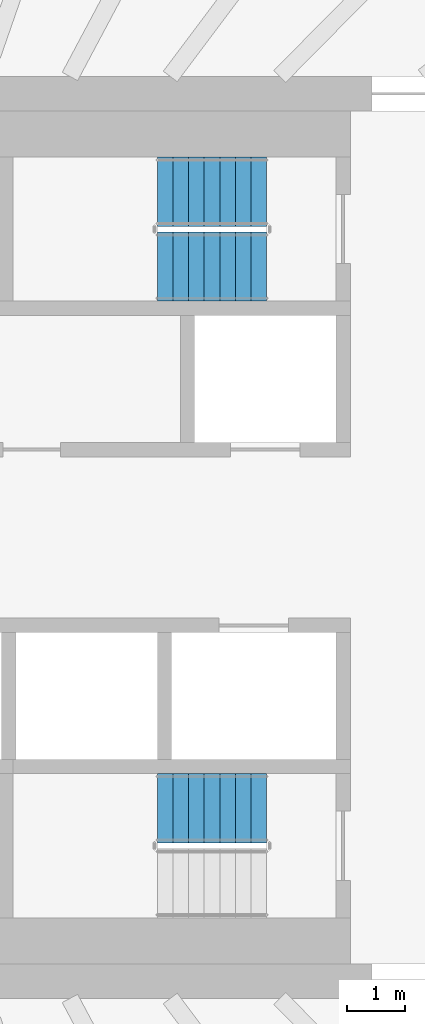
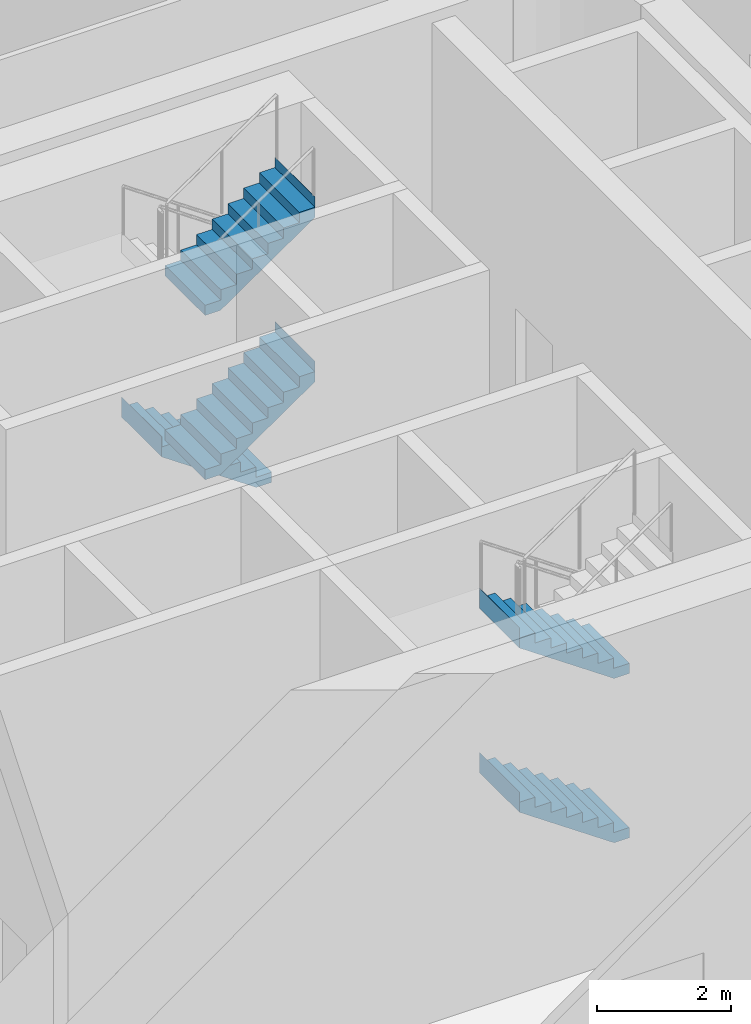
# One storey, part 31 of 37: 5 stair flights, 2 elements without a shape of their own.
"""IFC4 building model written with IfcOpenShell, lengths in metres."""

from ifc_helpers import new_model, si_unit, direction, frame, origin, place, context, subcontext, project, spatial, triangles, material, type_object, element, aggregate, save


model = new_model("IFC4")

# Units and contexts
model_context = context("Model", 3, precision=1e-05, world=origin(), true_north=direction((0.0, 1.0)))
body_context = subcontext(model_context, "Body", "Model", "MODEL_VIEW")
ifc_project = project(units=[si_unit("LENGTHUNIT", "METRE"), si_unit("AREAUNIT", "SQUARE_METRE"), si_unit("VOLUMEUNIT", "CUBIC_METRE"), si_unit("PLANEANGLEUNIT", "RADIAN"), si_unit("MASSUNIT", "GRAM", prefix="KILO")], contexts=[model_context])

# Site, building, storey
site_placement = place(None, origin())
site = spatial("IfcSite", under=ifc_project, at=site_placement, CompositionType="ELEMENT")
building_placement = place(site_placement, origin())
building = spatial("IfcBuilding", under=site, at=building_placement, Name="Sahrelin Media Tower", CompositionType="ELEMENT")
storey_placement = place(building_placement, frame((0.0, 0.0, 31.39990234375)))
storey = spatial("IfcBuildingStorey", under=building, at=storey_placement, Name="L04", CompositionType="ELEMENT", Elevation=31.39990234375)

# Stair, stair flights
ifc_material = material(Name="Concrete C40/50", Category="concrete")
stair_type = type_object("IfcStairType", Name="Exit stair 1200", PredefinedType="HALF_TURN_STAIR", material=ifc_material)
placement = place(storey_placement, origin())
stair_1 = element("IfcStair", 1, at=placement, inside=storey, type_object=stair_type, Name="L04 Exit stair ST3", PredefinedType="HALF_TURN_STAIR")
stair_flight_type = type_object("IfcStairFlightType", Name="Stair flight 1200", PredefinedType="STRAIGHT", material=ifc_material)
stair_flight_1_placement = place(storey_placement, frame((7.675048828125, 6.0, 0.0), z_axis=(0.0, 0.0, 1.0), x_axis=(-1.0, 0.0, 0.0)))
stair_flight_1 = element("IfcStairFlight", 2, at=stair_flight_1_placement, type_object=stair_flight_type, Name="ST3 flight 1", NumberOfRisers=8, NumberOfTreads=7, PredefinedType="STRAIGHT", RiserHeight=0.1875, TreadLength=0.271428571, context=body_context, shape_type="Tessellation", body=[
    triangles([(0.263671875, 0.60009765625, 0.0), (0.263671875, 0.300048828125, 0.0), (0.263671875, 0.0, 0.0), (0.263671875, -0.300048828125, 0.0), (0.263671875, -0.60009765625, 0.0), (1.89990234375, 0.60009765625, 1.13037109375), (1.89990234375, 0.300048828125, 1.13037109375), (1.89990234375, 0.0, 1.13037109375), (1.89990234375, -0.300048828125, 1.13037109375), (1.89990234375, -0.60009765625, 1.13037109375), (1.89990234375, 0.60009765625, 1.5), (1.89990234375, 0.300048828125, 1.5), (1.89990234375, 0.0, 1.5), (1.89990234375, -0.300048828125, 1.5), (1.89990234375, -0.60009765625, 1.5), (1.89794921875, 0.60009765625, 1.5), (1.89794921875, 0.300048828125, 1.5), (1.89794921875, 0.0, 1.5), (1.89794921875, -0.300048828125, 1.5), (1.89794921875, -0.60009765625, 1.5), (1.89794921875, 0.60009765625, 1.3125), (1.89794921875, 0.300048828125, 1.3125), (1.89794921875, 0.0, 1.3125), (1.89794921875, -0.300048828125, 1.3125), (1.89794921875, -0.60009765625, 1.3125), (1.628662109375, 0.60009765625, 1.3125), (1.628662109375, 0.300048828125, 1.3125), (1.628662109375, 0.0, 1.3125), (1.628662109375, -0.300048828125, 1.3125), (1.628662109375, -0.60009765625, 1.3125), (1.628662109375, 0.60009765625, 1.125), (1.628662109375, 0.300048828125, 1.125), (1.628662109375, 0.0, 1.125), (1.628662109375, -0.300048828125, 1.125), (1.628662109375, -0.60009765625, 1.125), (1.357177734375, 0.60009765625, 1.125), (1.357177734375, 0.300048828125, 1.125), (1.357177734375, 0.0, 1.125), (1.357177734375, -0.300048828125, 1.125), (1.357177734375, -0.60009765625, 1.125), (1.357177734375, 0.60009765625, 0.9375), (1.357177734375, 0.300048828125, 0.9375), (1.357177734375, 0.0, 0.9375), (1.357177734375, -0.300048828125, 0.9375), (1.357177734375, -0.60009765625, 0.9375), (1.085693359375, 0.60009765625, 0.9375), (1.085693359375, 0.300048828125, 0.9375), (1.085693359375, 0.0, 0.9375), (1.085693359375, -0.300048828125, 0.9375), (1.085693359375, -0.60009765625, 0.9375), (1.085693359375, 0.60009765625, 0.75), (1.085693359375, 0.300048828125, 0.75), (1.085693359375, 0.0, 0.75), (1.085693359375, -0.300048828125, 0.75), (1.085693359375, -0.60009765625, 0.75), (0.814208984375, 0.60009765625, 0.75), (0.814208984375, 0.300048828125, 0.75), (0.814208984375, 0.0, 0.75), (0.814208984375, -0.300048828125, 0.75), (0.814208984375, -0.60009765625, 0.75), (0.814208984375, 0.60009765625, 0.5625), (0.814208984375, 0.300048828125, 0.5625), (0.814208984375, 0.0, 0.5625), (0.814208984375, -0.300048828125, 0.5625), (0.814208984375, -0.60009765625, 0.5625), (0.54296875, 0.60009765625, 0.5625), (0.54296875, 0.300048828125, 0.5625), (0.54296875, 0.0, 0.5625), (0.54296875, -0.300048828125, 0.5625), (0.54296875, -0.60009765625, 0.5625), (0.54296875, 0.60009765625, 0.375), (0.54296875, 0.300048828125, 0.375), (0.54296875, 0.0, 0.375), (0.54296875, -0.300048828125, 0.375), (0.54296875, -0.60009765625, 0.375), (0.271484375, 0.60009765625, 0.375), (0.271484375, 0.300048828125, 0.375), (0.271484375, 0.0, 0.375), (0.271484375, -0.300048828125, 0.375), (0.271484375, -0.60009765625, 0.375), (0.271484375, 0.60009765625, 0.1875), (0.271484375, 0.300048828125, 0.1875), (0.271484375, 0.0, 0.1875), (0.271484375, -0.300048828125, 0.1875), (0.271484375, -0.60009765625, 0.1875), (0.0, 0.60009765625, 0.1875), (0.0, 0.300048828125, 0.1875), (0.0, 0.0, 0.1875), (0.0, -0.300048828125, 0.1875), (0.0, -0.60009765625, 0.1875), (0.0, 0.60009765625, 0.0), (0.0, 0.300048828125, 0.0), (0.0, 0.0, 0.0), (0.0, -0.300048828125, 0.0), (0.0, -0.60009765625, 0.0)], [[1, 6, 7], [1, 7, 2], [2, 7, 8], [2, 8, 3], [3, 8, 9], [3, 9, 4], [4, 9, 10], [4, 10, 5], [6, 11, 12], [6, 12, 7], [7, 12, 13], [7, 13, 8], [8, 13, 14], [8, 14, 9], [9, 14, 15], [9, 15, 10], [11, 16, 17], [11, 17, 12], [12, 17, 18], [12, 18, 13], [13, 18, 19], [13, 19, 14], [14, 19, 20], [14, 20, 15], [16, 21, 22], [16, 22, 17], [17, 22, 23], [17, 23, 18], [18, 23, 24], [18, 24, 19], [19, 24, 25], [19, 25, 20], [21, 26, 27], [21, 27, 22], [22, 27, 28], [22, 28, 23], [23, 28, 29], [23, 29, 24], [24, 29, 30], [24, 30, 25], [26, 31, 32], [26, 32, 27], [27, 32, 33], [27, 33, 28], [28, 33, 34], [28, 34, 29], [29, 34, 35], [29, 35, 30], [31, 36, 37], [31, 37, 32], [32, 37, 38], [32, 38, 33], [33, 38, 39], [33, 39, 34], [34, 39, 40], [34, 40, 35], [36, 41, 42], [36, 42, 37], [37, 42, 43], [37, 43, 38], [38, 43, 44], [38, 44, 39], [39, 44, 45], [39, 45, 40], [41, 46, 47], [41, 47, 42], [42, 47, 48], [42, 48, 43], [43, 48, 49], [43, 49, 44], [44, 49, 50], [44, 50, 45], [46, 51, 52], [46, 52, 47], [47, 52, 53], [47, 53, 48], [48, 53, 54], [48, 54, 49], [49, 54, 55], [49, 55, 50], [51, 56, 57], [51, 57, 52], [52, 57, 58], [52, 58, 53], [53, 58, 59], [53, 59, 54], [54, 59, 60], [54, 60, 55], [56, 61, 62], [56, 62, 57], [57, 62, 63], [57, 63, 58], [58, 63, 64], [58, 64, 59], [59, 64, 65], [59, 65, 60], [61, 66, 67], [61, 67, 62], [62, 67, 68], [62, 68, 63], [63, 68, 69], [63, 69, 64], [64, 69, 70], [64, 70, 65], [66, 71, 72], [66, 72, 67], [67, 72, 73], [67, 73, 68], [68, 73, 74], [68, 74, 69], [69, 74, 75], [69, 75, 70], [71, 76, 77], [71, 77, 72], [72, 77, 78], [72, 78, 73], [73, 78, 79], [73, 79, 74], [74, 79, 80], [74, 80, 75], [76, 81, 82], [76, 82, 77], [77, 82, 83], [77, 83, 78], [78, 83, 84], [78, 84, 79], [79, 84, 85], [79, 85, 80], [81, 86, 87], [81, 87, 82], [82, 87, 88], [82, 88, 83], [83, 88, 89], [83, 89, 84], [84, 89, 90], [84, 90, 85], [86, 91, 92], [86, 92, 87], [87, 92, 93], [87, 93, 88], [88, 93, 94], [88, 94, 89], [89, 94, 95], [89, 95, 90], [91, 1, 2], [91, 2, 92], [92, 2, 3], [92, 3, 93], [93, 3, 4], [93, 4, 94], [94, 4, 5], [94, 5, 95], [5, 90, 95], [1, 91, 86], [85, 75, 80], [81, 76, 71], [75, 65, 70], [71, 66, 61], [65, 55, 60], [61, 56, 51], [55, 45, 50], [51, 46, 41], [45, 35, 40], [41, 36, 31], [10, 25, 30], [6, 26, 21], [25, 15, 20], [21, 16, 11], [5, 85, 90], [1, 86, 81], [55, 65, 5], [51, 1, 61], [10, 35, 45], [6, 41, 31], [25, 10, 15], [21, 11, 6], [75, 85, 5], [71, 1, 81], [45, 55, 10], [41, 6, 51], [30, 35, 10], [26, 6, 31], [65, 75, 5], [61, 1, 71], [5, 10, 55], [1, 51, 6]], closed=True),
])
stair_flight_2_placement = place(storey_placement, frame((5.77490234375, 4.699951171875, 1.5), z_axis=(0.0, 0.0, 1.0), x_axis=(1.0, 0.0, 0.0)))
stair_flight_2 = element("IfcStairFlight", 3, at=stair_flight_2_placement, type_object=stair_flight_type, Name="ST3 flight 2", NumberOfRisers=8, NumberOfTreads=7, PredefinedType="STRAIGHT", RiserHeight=0.1875, TreadLength=0.271428571, context=body_context, shape_type="Tessellation", body=[
    triangles([(0.263671875, 0.60009765625, 0.0), (0.263671875, 0.300048828125, 0.0), (0.263671875, 0.0, 0.0), (0.263671875, -0.300048828125, 0.0), (0.263671875, -0.60009765625, 0.0), (1.89990234375, 0.60009765625, 1.13037109375), (1.89990234375, 0.300048828125, 1.13037109375), (1.89990234375, 0.0, 1.13037109375), (1.89990234375, -0.300048828125, 1.13037109375), (1.89990234375, -0.60009765625, 1.13037109375), (1.89990234375, 0.60009765625, 1.5), (1.89990234375, 0.300048828125, 1.5), (1.89990234375, 0.0, 1.5), (1.89990234375, -0.300048828125, 1.5), (1.89990234375, -0.60009765625, 1.5), (1.89794921875, 0.60009765625, 1.5), (1.89794921875, 0.300048828125, 1.5), (1.89794921875, 0.0, 1.5), (1.89794921875, -0.300048828125, 1.5), (1.89794921875, -0.60009765625, 1.5), (1.89794921875, 0.60009765625, 1.3125), (1.89794921875, 0.300048828125, 1.3125), (1.89794921875, 0.0, 1.3125), (1.89794921875, -0.300048828125, 1.3125), (1.89794921875, -0.60009765625, 1.3125), (1.628662109375, 0.60009765625, 1.3125), (1.628662109375, 0.300048828125, 1.3125), (1.628662109375, 0.0, 1.3125), (1.628662109375, -0.300048828125, 1.3125), (1.628662109375, -0.60009765625, 1.3125), (1.628662109375, 0.60009765625, 1.125), (1.628662109375, 0.300048828125, 1.125), (1.628662109375, 0.0, 1.125), (1.628662109375, -0.300048828125, 1.125), (1.628662109375, -0.60009765625, 1.125), (1.357177734375, 0.60009765625, 1.125), (1.357177734375, 0.300048828125, 1.125), (1.357177734375, 0.0, 1.125), (1.357177734375, -0.300048828125, 1.125), (1.357177734375, -0.60009765625, 1.125), (1.357177734375, 0.60009765625, 0.9375), (1.357177734375, 0.300048828125, 0.9375), (1.357177734375, 0.0, 0.9375), (1.357177734375, -0.300048828125, 0.9375), (1.357177734375, -0.60009765625, 0.9375), (1.085693359375, 0.60009765625, 0.9375), (1.085693359375, 0.300048828125, 0.9375), (1.085693359375, 0.0, 0.9375), (1.085693359375, -0.300048828125, 0.9375), (1.085693359375, -0.60009765625, 0.9375), (1.085693359375, 0.60009765625, 0.75), (1.085693359375, 0.300048828125, 0.75), (1.085693359375, 0.0, 0.75), (1.085693359375, -0.300048828125, 0.75), (1.085693359375, -0.60009765625, 0.75), (0.814208984375, 0.60009765625, 0.75), (0.814208984375, 0.300048828125, 0.75), (0.814208984375, 0.0, 0.75), (0.814208984375, -0.300048828125, 0.75), (0.814208984375, -0.60009765625, 0.75), (0.814208984375, 0.60009765625, 0.5625), (0.814208984375, 0.300048828125, 0.5625), (0.814208984375, 0.0, 0.5625), (0.814208984375, -0.300048828125, 0.5625), (0.814208984375, -0.60009765625, 0.5625), (0.54296875, 0.60009765625, 0.5625), (0.54296875, 0.300048828125, 0.5625), (0.54296875, 0.0, 0.5625), (0.54296875, -0.300048828125, 0.5625), (0.54296875, -0.60009765625, 0.5625), (0.54296875, 0.60009765625, 0.375), (0.54296875, 0.300048828125, 0.375), (0.54296875, 0.0, 0.375), (0.54296875, -0.300048828125, 0.375), (0.54296875, -0.60009765625, 0.375), (0.271484375, 0.60009765625, 0.375), (0.271484375, 0.300048828125, 0.375), (0.271484375, 0.0, 0.375), (0.271484375, -0.300048828125, 0.375), (0.271484375, -0.60009765625, 0.375), (0.271484375, 0.60009765625, 0.1875), (0.271484375, 0.300048828125, 0.1875), (0.271484375, 0.0, 0.1875), (0.271484375, -0.300048828125, 0.1875), (0.271484375, -0.60009765625, 0.1875), (0.0, 0.60009765625, 0.1875), (0.0, 0.300048828125, 0.1875), (0.0, 0.0, 0.1875), (0.0, -0.300048828125, 0.1875), (0.0, -0.60009765625, 0.1875), (0.0, 0.60009765625, 0.0), (0.0, 0.300048828125, 0.0), (0.0, 0.0, 0.0), (0.0, -0.300048828125, 0.0), (0.0, -0.60009765625, 0.0)], [[1, 6, 7], [1, 7, 2], [2, 7, 8], [2, 8, 3], [3, 8, 9], [3, 9, 4], [4, 9, 10], [4, 10, 5], [6, 11, 12], [6, 12, 7], [7, 12, 13], [7, 13, 8], [8, 13, 14], [8, 14, 9], [9, 14, 15], [9, 15, 10], [11, 16, 17], [11, 17, 12], [12, 17, 18], [12, 18, 13], [13, 18, 19], [13, 19, 14], [14, 19, 20], [14, 20, 15], [16, 21, 22], [16, 22, 17], [17, 22, 23], [17, 23, 18], [18, 23, 24], [18, 24, 19], [19, 24, 25], [19, 25, 20], [21, 26, 27], [21, 27, 22], [22, 27, 28], [22, 28, 23], [23, 28, 29], [23, 29, 24], [24, 29, 30], [24, 30, 25], [26, 31, 32], [26, 32, 27], [27, 32, 33], [27, 33, 28], [28, 33, 34], [28, 34, 29], [29, 34, 35], [29, 35, 30], [31, 36, 37], [31, 37, 32], [32, 37, 38], [32, 38, 33], [33, 38, 39], [33, 39, 34], [34, 39, 40], [34, 40, 35], [36, 41, 42], [36, 42, 37], [37, 42, 43], [37, 43, 38], [38, 43, 44], [38, 44, 39], [39, 44, 45], [39, 45, 40], [41, 46, 47], [41, 47, 42], [42, 47, 48], [42, 48, 43], [43, 48, 49], [43, 49, 44], [44, 49, 50], [44, 50, 45], [46, 51, 52], [46, 52, 47], [47, 52, 53], [47, 53, 48], [48, 53, 54], [48, 54, 49], [49, 54, 55], [49, 55, 50], [51, 56, 57], [51, 57, 52], [52, 57, 58], [52, 58, 53], [53, 58, 59], [53, 59, 54], [54, 59, 60], [54, 60, 55], [56, 61, 62], [56, 62, 57], [57, 62, 63], [57, 63, 58], [58, 63, 64], [58, 64, 59], [59, 64, 65], [59, 65, 60], [61, 66, 67], [61, 67, 62], [62, 67, 68], [62, 68, 63], [63, 68, 69], [63, 69, 64], [64, 69, 70], [64, 70, 65], [66, 71, 72], [66, 72, 67], [67, 72, 73], [67, 73, 68], [68, 73, 74], [68, 74, 69], [69, 74, 75], [69, 75, 70], [71, 76, 77], [71, 77, 72], [72, 77, 78], [72, 78, 73], [73, 78, 79], [73, 79, 74], [74, 79, 80], [74, 80, 75], [76, 81, 82], [76, 82, 77], [77, 82, 83], [77, 83, 78], [78, 83, 84], [78, 84, 79], [79, 84, 85], [79, 85, 80], [81, 86, 87], [81, 87, 82], [82, 87, 88], [82, 88, 83], [83, 88, 89], [83, 89, 84], [84, 89, 90], [84, 90, 85], [86, 91, 92], [86, 92, 87], [87, 92, 93], [87, 93, 88], [88, 93, 94], [88, 94, 89], [89, 94, 95], [89, 95, 90], [91, 1, 2], [91, 2, 92], [92, 2, 3], [92, 3, 93], [93, 3, 4], [93, 4, 94], [94, 4, 5], [94, 5, 95], [5, 90, 95], [1, 91, 86], [85, 75, 80], [81, 76, 71], [75, 65, 70], [71, 66, 61], [65, 55, 60], [61, 56, 51], [55, 45, 50], [51, 46, 41], [45, 35, 40], [41, 36, 31], [10, 25, 30], [6, 26, 21], [25, 15, 20], [21, 16, 11], [5, 85, 90], [1, 86, 81], [55, 65, 5], [51, 1, 61], [10, 35, 45], [6, 41, 31], [25, 10, 15], [21, 11, 6], [75, 85, 5], [71, 1, 81], [45, 55, 10], [41, 6, 51], [30, 35, 10], [26, 6, 31], [65, 75, 5], [61, 1, 71], [5, 10, 55], [1, 51, 6]], closed=True),
])
stair_flight_3_placement = place(storey_placement, frame((5.77490234375, 4.699951171875, 4.5), z_axis=(0.0, 0.0, 1.0), x_axis=(1.0, 0.0, 0.0)))
stair_flight_3 = element("IfcStairFlight", 4, at=stair_flight_3_placement, type_object=stair_flight_type, Name="ST3 flight 4", NumberOfRisers=8, NumberOfTreads=7, PredefinedType="STRAIGHT", RiserHeight=0.1875, TreadLength=0.271428571, context=body_context, shape_type="Tessellation", body=[
    triangles([(0.263671875, 0.60009765625, 0.0), (0.263671875, 0.300048828125, 0.0), (0.263671875, 0.0, 0.0), (0.263671875, -0.300048828125, 0.0), (0.263671875, -0.60009765625, 0.0), (1.89990234375, 0.60009765625, 1.13037109375), (1.89990234375, 0.300048828125, 1.13037109375), (1.89990234375, 0.0, 1.13037109375), (1.89990234375, -0.300048828125, 1.13037109375), (1.89990234375, -0.60009765625, 1.13037109375), (1.89990234375, 0.60009765625, 1.5), (1.89990234375, 0.300048828125, 1.5), (1.89990234375, 0.0, 1.5), (1.89990234375, -0.300048828125, 1.5), (1.89990234375, -0.60009765625, 1.5), (1.89794921875, 0.60009765625, 1.5), (1.89794921875, 0.300048828125, 1.5), (1.89794921875, 0.0, 1.5), (1.89794921875, -0.300048828125, 1.5), (1.89794921875, -0.60009765625, 1.5), (1.89794921875, 0.60009765625, 1.3125), (1.89794921875, 0.300048828125, 1.3125), (1.89794921875, 0.0, 1.3125), (1.89794921875, -0.300048828125, 1.3125), (1.89794921875, -0.60009765625, 1.3125), (1.628662109375, 0.60009765625, 1.3125), (1.628662109375, 0.300048828125, 1.3125), (1.628662109375, 0.0, 1.3125), (1.628662109375, -0.300048828125, 1.3125), (1.628662109375, -0.60009765625, 1.3125), (1.628662109375, 0.60009765625, 1.125), (1.628662109375, 0.300048828125, 1.125), (1.628662109375, 0.0, 1.125), (1.628662109375, -0.300048828125, 1.125), (1.628662109375, -0.60009765625, 1.125), (1.357177734375, 0.60009765625, 1.125), (1.357177734375, 0.300048828125, 1.125), (1.357177734375, 0.0, 1.125), (1.357177734375, -0.300048828125, 1.125), (1.357177734375, -0.60009765625, 1.125), (1.357177734375, 0.60009765625, 0.9375), (1.357177734375, 0.300048828125, 0.9375), (1.357177734375, 0.0, 0.9375), (1.357177734375, -0.300048828125, 0.9375), (1.357177734375, -0.60009765625, 0.9375), (1.085693359375, 0.60009765625, 0.9375), (1.085693359375, 0.300048828125, 0.9375), (1.085693359375, 0.0, 0.9375), (1.085693359375, -0.300048828125, 0.9375), (1.085693359375, -0.60009765625, 0.9375), (1.085693359375, 0.60009765625, 0.75), (1.085693359375, 0.300048828125, 0.75), (1.085693359375, 0.0, 0.75), (1.085693359375, -0.300048828125, 0.75), (1.085693359375, -0.60009765625, 0.75), (0.814208984375, 0.60009765625, 0.75), (0.814208984375, 0.300048828125, 0.75), (0.814208984375, 0.0, 0.75), (0.814208984375, -0.300048828125, 0.75), (0.814208984375, -0.60009765625, 0.75), (0.814208984375, 0.60009765625, 0.5625), (0.814208984375, 0.300048828125, 0.5625), (0.814208984375, 0.0, 0.5625), (0.814208984375, -0.300048828125, 0.5625), (0.814208984375, -0.60009765625, 0.5625), (0.54296875, 0.60009765625, 0.5625), (0.54296875, 0.300048828125, 0.5625), (0.54296875, 0.0, 0.5625), (0.54296875, -0.300048828125, 0.5625), (0.54296875, -0.60009765625, 0.5625), (0.54296875, 0.60009765625, 0.375), (0.54296875, 0.300048828125, 0.375), (0.54296875, 0.0, 0.375), (0.54296875, -0.300048828125, 0.375), (0.54296875, -0.60009765625, 0.375), (0.271484375, 0.60009765625, 0.375), (0.271484375, 0.300048828125, 0.375), (0.271484375, 0.0, 0.375), (0.271484375, -0.300048828125, 0.375), (0.271484375, -0.60009765625, 0.375), (0.271484375, 0.60009765625, 0.1875), (0.271484375, 0.300048828125, 0.1875), (0.271484375, 0.0, 0.1875), (0.271484375, -0.300048828125, 0.1875), (0.271484375, -0.60009765625, 0.1875), (0.0, 0.60009765625, 0.1875), (0.0, 0.300048828125, 0.1875), (0.0, 0.0, 0.1875), (0.0, -0.300048828125, 0.1875), (0.0, -0.60009765625, 0.1875), (0.0, 0.60009765625, 0.0), (0.0, 0.300048828125, 0.0), (0.0, 0.0, 0.0), (0.0, -0.300048828125, 0.0), (0.0, -0.60009765625, 0.0)], [[1, 6, 7], [1, 7, 2], [2, 7, 8], [2, 8, 3], [3, 8, 9], [3, 9, 4], [4, 9, 10], [4, 10, 5], [6, 11, 12], [6, 12, 7], [7, 12, 13], [7, 13, 8], [8, 13, 14], [8, 14, 9], [9, 14, 15], [9, 15, 10], [11, 16, 17], [11, 17, 12], [12, 17, 18], [12, 18, 13], [13, 18, 19], [13, 19, 14], [14, 19, 20], [14, 20, 15], [16, 21, 22], [16, 22, 17], [17, 22, 23], [17, 23, 18], [18, 23, 24], [18, 24, 19], [19, 24, 25], [19, 25, 20], [21, 26, 27], [21, 27, 22], [22, 27, 28], [22, 28, 23], [23, 28, 29], [23, 29, 24], [24, 29, 30], [24, 30, 25], [26, 31, 32], [26, 32, 27], [27, 32, 33], [27, 33, 28], [28, 33, 34], [28, 34, 29], [29, 34, 35], [29, 35, 30], [31, 36, 37], [31, 37, 32], [32, 37, 38], [32, 38, 33], [33, 38, 39], [33, 39, 34], [34, 39, 40], [34, 40, 35], [36, 41, 42], [36, 42, 37], [37, 42, 43], [37, 43, 38], [38, 43, 44], [38, 44, 39], [39, 44, 45], [39, 45, 40], [41, 46, 47], [41, 47, 42], [42, 47, 48], [42, 48, 43], [43, 48, 49], [43, 49, 44], [44, 49, 50], [44, 50, 45], [46, 51, 52], [46, 52, 47], [47, 52, 53], [47, 53, 48], [48, 53, 54], [48, 54, 49], [49, 54, 55], [49, 55, 50], [51, 56, 57], [51, 57, 52], [52, 57, 58], [52, 58, 53], [53, 58, 59], [53, 59, 54], [54, 59, 60], [54, 60, 55], [56, 61, 62], [56, 62, 57], [57, 62, 63], [57, 63, 58], [58, 63, 64], [58, 64, 59], [59, 64, 65], [59, 65, 60], [61, 66, 67], [61, 67, 62], [62, 67, 68], [62, 68, 63], [63, 68, 69], [63, 69, 64], [64, 69, 70], [64, 70, 65], [66, 71, 72], [66, 72, 67], [67, 72, 73], [67, 73, 68], [68, 73, 74], [68, 74, 69], [69, 74, 75], [69, 75, 70], [71, 76, 77], [71, 77, 72], [72, 77, 78], [72, 78, 73], [73, 78, 79], [73, 79, 74], [74, 79, 80], [74, 80, 75], [76, 81, 82], [76, 82, 77], [77, 82, 83], [77, 83, 78], [78, 83, 84], [78, 84, 79], [79, 84, 85], [79, 85, 80], [81, 86, 87], [81, 87, 82], [82, 87, 88], [82, 88, 83], [83, 88, 89], [83, 89, 84], [84, 89, 90], [84, 90, 85], [86, 91, 92], [86, 92, 87], [87, 92, 93], [87, 93, 88], [88, 93, 94], [88, 94, 89], [89, 94, 95], [89, 95, 90], [91, 1, 2], [91, 2, 92], [92, 2, 3], [92, 3, 93], [93, 3, 4], [93, 4, 94], [94, 4, 5], [94, 5, 95], [5, 90, 95], [1, 91, 86], [85, 75, 80], [81, 76, 71], [75, 65, 70], [71, 66, 61], [65, 55, 60], [61, 56, 51], [55, 45, 50], [51, 46, 41], [45, 35, 40], [41, 36, 31], [10, 25, 30], [6, 26, 21], [25, 15, 20], [21, 16, 11], [5, 85, 90], [1, 86, 81], [55, 65, 5], [51, 1, 61], [10, 35, 45], [6, 41, 31], [25, 10, 15], [21, 11, 6], [75, 85, 5], [71, 1, 81], [45, 55, 10], [41, 6, 51], [30, 35, 10], [26, 6, 31], [65, 75, 5], [61, 1, 71], [5, 10, 55], [1, 51, 6]], closed=True),
])
aggregate(stair_1, [stair_flight_1, stair_flight_2, stair_flight_3])

stair_2 = element("IfcStair", 5, at=placement, inside=storey, type_object=stair_type, Name="L04 Exit stair ST2", PredefinedType="HALF_TURN_STAIR")
stair_flight_4_placement = place(storey_placement, frame((7.675048828125, -4.699951171875, 0.0), z_axis=(0.0, 0.0, 1.0), x_axis=(-1.0, 0.0, 0.0)))
stair_flight_4 = element("IfcStairFlight", 6, at=stair_flight_4_placement, type_object=stair_flight_type, Name="ST2 flight 1", NumberOfRisers=8, NumberOfTreads=7, PredefinedType="STRAIGHT", RiserHeight=0.1875, TreadLength=0.271428571, context=body_context, shape_type="Tessellation", body=[
    triangles([(0.263671875, 0.60009765625, 0.0), (0.263671875, 0.300048828125, 0.0), (0.263671875, 0.0, 0.0), (0.263671875, -0.300048828125, 0.0), (0.263671875, -0.60009765625, 0.0), (1.89990234375, 0.60009765625, 1.13037109375), (1.89990234375, 0.300048828125, 1.13037109375), (1.89990234375, 0.0, 1.13037109375), (1.89990234375, -0.300048828125, 1.13037109375), (1.89990234375, -0.60009765625, 1.13037109375), (1.89990234375, 0.60009765625, 1.5), (1.89990234375, 0.300048828125, 1.5), (1.89990234375, 0.0, 1.5), (1.89990234375, -0.300048828125, 1.5), (1.89990234375, -0.60009765625, 1.5), (1.89794921875, 0.60009765625, 1.5), (1.89794921875, 0.300048828125, 1.5), (1.89794921875, 0.0, 1.5), (1.89794921875, -0.300048828125, 1.5), (1.89794921875, -0.60009765625, 1.5), (1.89794921875, 0.60009765625, 1.3125), (1.89794921875, 0.300048828125, 1.3125), (1.89794921875, 0.0, 1.3125), (1.89794921875, -0.300048828125, 1.3125), (1.89794921875, -0.60009765625, 1.3125), (1.628662109375, 0.60009765625, 1.3125), (1.628662109375, 0.300048828125, 1.3125), (1.628662109375, 0.0, 1.3125), (1.628662109375, -0.300048828125, 1.3125), (1.628662109375, -0.60009765625, 1.3125), (1.628662109375, 0.60009765625, 1.125), (1.628662109375, 0.300048828125, 1.125), (1.628662109375, 0.0, 1.125), (1.628662109375, -0.300048828125, 1.125), (1.628662109375, -0.60009765625, 1.125), (1.357177734375, 0.60009765625, 1.125), (1.357177734375, 0.300048828125, 1.125), (1.357177734375, 0.0, 1.125), (1.357177734375, -0.300048828125, 1.125), (1.357177734375, -0.60009765625, 1.125), (1.357177734375, 0.60009765625, 0.9375), (1.357177734375, 0.300048828125, 0.9375), (1.357177734375, 0.0, 0.9375), (1.357177734375, -0.300048828125, 0.9375), (1.357177734375, -0.60009765625, 0.9375), (1.085693359375, 0.60009765625, 0.9375), (1.085693359375, 0.300048828125, 0.9375), (1.085693359375, 0.0, 0.9375), (1.085693359375, -0.300048828125, 0.9375), (1.085693359375, -0.60009765625, 0.9375), (1.085693359375, 0.60009765625, 0.75), (1.085693359375, 0.300048828125, 0.75), (1.085693359375, 0.0, 0.75), (1.085693359375, -0.300048828125, 0.75), (1.085693359375, -0.60009765625, 0.75), (0.814208984375, 0.60009765625, 0.75), (0.814208984375, 0.300048828125, 0.75), (0.814208984375, 0.0, 0.75), (0.814208984375, -0.300048828125, 0.75), (0.814208984375, -0.60009765625, 0.75), (0.814208984375, 0.60009765625, 0.5625), (0.814208984375, 0.300048828125, 0.5625), (0.814208984375, 0.0, 0.5625), (0.814208984375, -0.300048828125, 0.5625), (0.814208984375, -0.60009765625, 0.5625), (0.54296875, 0.60009765625, 0.5625), (0.54296875, 0.300048828125, 0.5625), (0.54296875, 0.0, 0.5625), (0.54296875, -0.300048828125, 0.5625), (0.54296875, -0.60009765625, 0.5625), (0.54296875, 0.60009765625, 0.375), (0.54296875, 0.300048828125, 0.375), (0.54296875, 0.0, 0.375), (0.54296875, -0.300048828125, 0.375), (0.54296875, -0.60009765625, 0.375), (0.271484375, 0.60009765625, 0.375), (0.271484375, 0.300048828125, 0.375), (0.271484375, 0.0, 0.375), (0.271484375, -0.300048828125, 0.375), (0.271484375, -0.60009765625, 0.375), (0.271484375, 0.60009765625, 0.1875), (0.271484375, 0.300048828125, 0.1875), (0.271484375, 0.0, 0.1875), (0.271484375, -0.300048828125, 0.1875), (0.271484375, -0.60009765625, 0.1875), (0.0, 0.60009765625, 0.1875), (0.0, 0.300048828125, 0.1875), (0.0, 0.0, 0.1875), (0.0, -0.300048828125, 0.1875), (0.0, -0.60009765625, 0.1875), (0.0, 0.60009765625, 0.0), (0.0, 0.300048828125, 0.0), (0.0, 0.0, 0.0), (0.0, -0.300048828125, 0.0), (0.0, -0.60009765625, 0.0)], [[1, 6, 7], [1, 7, 2], [2, 7, 8], [2, 8, 3], [3, 8, 9], [3, 9, 4], [4, 9, 10], [4, 10, 5], [6, 11, 12], [6, 12, 7], [7, 12, 13], [7, 13, 8], [8, 13, 14], [8, 14, 9], [9, 14, 15], [9, 15, 10], [11, 16, 17], [11, 17, 12], [12, 17, 18], [12, 18, 13], [13, 18, 19], [13, 19, 14], [14, 19, 20], [14, 20, 15], [16, 21, 22], [16, 22, 17], [17, 22, 23], [17, 23, 18], [18, 23, 24], [18, 24, 19], [19, 24, 25], [19, 25, 20], [21, 26, 27], [21, 27, 22], [22, 27, 28], [22, 28, 23], [23, 28, 29], [23, 29, 24], [24, 29, 30], [24, 30, 25], [26, 31, 32], [26, 32, 27], [27, 32, 33], [27, 33, 28], [28, 33, 34], [28, 34, 29], [29, 34, 35], [29, 35, 30], [31, 36, 37], [31, 37, 32], [32, 37, 38], [32, 38, 33], [33, 38, 39], [33, 39, 34], [34, 39, 40], [34, 40, 35], [36, 41, 42], [36, 42, 37], [37, 42, 43], [37, 43, 38], [38, 43, 44], [38, 44, 39], [39, 44, 45], [39, 45, 40], [41, 46, 47], [41, 47, 42], [42, 47, 48], [42, 48, 43], [43, 48, 49], [43, 49, 44], [44, 49, 50], [44, 50, 45], [46, 51, 52], [46, 52, 47], [47, 52, 53], [47, 53, 48], [48, 53, 54], [48, 54, 49], [49, 54, 55], [49, 55, 50], [51, 56, 57], [51, 57, 52], [52, 57, 58], [52, 58, 53], [53, 58, 59], [53, 59, 54], [54, 59, 60], [54, 60, 55], [56, 61, 62], [56, 62, 57], [57, 62, 63], [57, 63, 58], [58, 63, 64], [58, 64, 59], [59, 64, 65], [59, 65, 60], [61, 66, 67], [61, 67, 62], [62, 67, 68], [62, 68, 63], [63, 68, 69], [63, 69, 64], [64, 69, 70], [64, 70, 65], [66, 71, 72], [66, 72, 67], [67, 72, 73], [67, 73, 68], [68, 73, 74], [68, 74, 69], [69, 74, 75], [69, 75, 70], [71, 76, 77], [71, 77, 72], [72, 77, 78], [72, 78, 73], [73, 78, 79], [73, 79, 74], [74, 79, 80], [74, 80, 75], [76, 81, 82], [76, 82, 77], [77, 82, 83], [77, 83, 78], [78, 83, 84], [78, 84, 79], [79, 84, 85], [79, 85, 80], [81, 86, 87], [81, 87, 82], [82, 87, 88], [82, 88, 83], [83, 88, 89], [83, 89, 84], [84, 89, 90], [84, 90, 85], [86, 91, 92], [86, 92, 87], [87, 92, 93], [87, 93, 88], [88, 93, 94], [88, 94, 89], [89, 94, 95], [89, 95, 90], [91, 1, 2], [91, 2, 92], [92, 2, 3], [92, 3, 93], [93, 3, 4], [93, 4, 94], [94, 4, 5], [94, 5, 95], [5, 90, 95], [1, 91, 86], [85, 75, 80], [81, 76, 71], [75, 65, 70], [71, 66, 61], [65, 55, 60], [61, 56, 51], [55, 45, 50], [51, 46, 41], [45, 35, 40], [41, 36, 31], [10, 25, 30], [6, 26, 21], [25, 15, 20], [21, 16, 11], [5, 85, 90], [1, 86, 81], [55, 65, 5], [51, 1, 61], [10, 35, 45], [6, 41, 31], [25, 10, 15], [21, 11, 6], [75, 85, 5], [71, 1, 81], [45, 55, 10], [41, 6, 51], [30, 35, 10], [26, 6, 31], [65, 75, 5], [61, 1, 71], [5, 10, 55], [1, 51, 6]], closed=True),
])
stair_flight_5_placement = place(storey_placement, frame((7.675048828125, -4.699951171875, 3.0), z_axis=(0.0, 0.0, 1.0), x_axis=(-1.0, 0.0, 0.0)))
stair_flight_5 = element("IfcStairFlight", 7, at=stair_flight_5_placement, type_object=stair_flight_type, Name="ST2 flight 3", NumberOfRisers=8, NumberOfTreads=7, PredefinedType="STRAIGHT", RiserHeight=0.1875, TreadLength=0.271428571, context=body_context, shape_type="Tessellation", body=[
    triangles([(0.263671875, 0.60009765625, 0.0), (0.263671875, 0.300048828125, 0.0), (0.263671875, 0.0, 0.0), (0.263671875, -0.300048828125, 0.0), (0.263671875, -0.60009765625, 0.0), (1.89990234375, 0.60009765625, 1.13037109375), (1.89990234375, 0.300048828125, 1.13037109375), (1.89990234375, 0.0, 1.13037109375), (1.89990234375, -0.300048828125, 1.13037109375), (1.89990234375, -0.60009765625, 1.13037109375), (1.89990234375, 0.60009765625, 1.5), (1.89990234375, 0.300048828125, 1.5), (1.89990234375, 0.0, 1.5), (1.89990234375, -0.300048828125, 1.5), (1.89990234375, -0.60009765625, 1.5), (1.89794921875, 0.60009765625, 1.5), (1.89794921875, 0.300048828125, 1.5), (1.89794921875, 0.0, 1.5), (1.89794921875, -0.300048828125, 1.5), (1.89794921875, -0.60009765625, 1.5), (1.89794921875, 0.60009765625, 1.3125), (1.89794921875, 0.300048828125, 1.3125), (1.89794921875, 0.0, 1.3125), (1.89794921875, -0.300048828125, 1.3125), (1.89794921875, -0.60009765625, 1.3125), (1.628662109375, 0.60009765625, 1.3125), (1.628662109375, 0.300048828125, 1.3125), (1.628662109375, 0.0, 1.3125), (1.628662109375, -0.300048828125, 1.3125), (1.628662109375, -0.60009765625, 1.3125), (1.628662109375, 0.60009765625, 1.125), (1.628662109375, 0.300048828125, 1.125), (1.628662109375, 0.0, 1.125), (1.628662109375, -0.300048828125, 1.125), (1.628662109375, -0.60009765625, 1.125), (1.357177734375, 0.60009765625, 1.125), (1.357177734375, 0.300048828125, 1.125), (1.357177734375, 0.0, 1.125), (1.357177734375, -0.300048828125, 1.125), (1.357177734375, -0.60009765625, 1.125), (1.357177734375, 0.60009765625, 0.9375), (1.357177734375, 0.300048828125, 0.9375), (1.357177734375, 0.0, 0.9375), (1.357177734375, -0.300048828125, 0.9375), (1.357177734375, -0.60009765625, 0.9375), (1.085693359375, 0.60009765625, 0.9375), (1.085693359375, 0.300048828125, 0.9375), (1.085693359375, 0.0, 0.9375), (1.085693359375, -0.300048828125, 0.9375), (1.085693359375, -0.60009765625, 0.9375), (1.085693359375, 0.60009765625, 0.75), (1.085693359375, 0.300048828125, 0.75), (1.085693359375, 0.0, 0.75), (1.085693359375, -0.300048828125, 0.75), (1.085693359375, -0.60009765625, 0.75), (0.814208984375, 0.60009765625, 0.75), (0.814208984375, 0.300048828125, 0.75), (0.814208984375, 0.0, 0.75), (0.814208984375, -0.300048828125, 0.75), (0.814208984375, -0.60009765625, 0.75), (0.814208984375, 0.60009765625, 0.5625), (0.814208984375, 0.300048828125, 0.5625), (0.814208984375, 0.0, 0.5625), (0.814208984375, -0.300048828125, 0.5625), (0.814208984375, -0.60009765625, 0.5625), (0.54296875, 0.60009765625, 0.5625), (0.54296875, 0.300048828125, 0.5625), (0.54296875, 0.0, 0.5625), (0.54296875, -0.300048828125, 0.5625), (0.54296875, -0.60009765625, 0.5625), (0.54296875, 0.60009765625, 0.375), (0.54296875, 0.300048828125, 0.375), (0.54296875, 0.0, 0.375), (0.54296875, -0.300048828125, 0.375), (0.54296875, -0.60009765625, 0.375), (0.271484375, 0.60009765625, 0.375), (0.271484375, 0.300048828125, 0.375), (0.271484375, 0.0, 0.375), (0.271484375, -0.300048828125, 0.375), (0.271484375, -0.60009765625, 0.375), (0.271484375, 0.60009765625, 0.1875), (0.271484375, 0.300048828125, 0.1875), (0.271484375, 0.0, 0.1875), (0.271484375, -0.300048828125, 0.1875), (0.271484375, -0.60009765625, 0.1875), (0.0, 0.60009765625, 0.1875), (0.0, 0.300048828125, 0.1875), (0.0, 0.0, 0.1875), (0.0, -0.300048828125, 0.1875), (0.0, -0.60009765625, 0.1875), (0.0, 0.60009765625, 0.0), (0.0, 0.300048828125, 0.0), (0.0, 0.0, 0.0), (0.0, -0.300048828125, 0.0), (0.0, -0.60009765625, 0.0)], [[1, 6, 7], [1, 7, 2], [2, 7, 8], [2, 8, 3], [3, 8, 9], [3, 9, 4], [4, 9, 10], [4, 10, 5], [6, 11, 12], [6, 12, 7], [7, 12, 13], [7, 13, 8], [8, 13, 14], [8, 14, 9], [9, 14, 15], [9, 15, 10], [11, 16, 17], [11, 17, 12], [12, 17, 18], [12, 18, 13], [13, 18, 19], [13, 19, 14], [14, 19, 20], [14, 20, 15], [16, 21, 22], [16, 22, 17], [17, 22, 23], [17, 23, 18], [18, 23, 24], [18, 24, 19], [19, 24, 25], [19, 25, 20], [21, 26, 27], [21, 27, 22], [22, 27, 28], [22, 28, 23], [23, 28, 29], [23, 29, 24], [24, 29, 30], [24, 30, 25], [26, 31, 32], [26, 32, 27], [27, 32, 33], [27, 33, 28], [28, 33, 34], [28, 34, 29], [29, 34, 35], [29, 35, 30], [31, 36, 37], [31, 37, 32], [32, 37, 38], [32, 38, 33], [33, 38, 39], [33, 39, 34], [34, 39, 40], [34, 40, 35], [36, 41, 42], [36, 42, 37], [37, 42, 43], [37, 43, 38], [38, 43, 44], [38, 44, 39], [39, 44, 45], [39, 45, 40], [41, 46, 47], [41, 47, 42], [42, 47, 48], [42, 48, 43], [43, 48, 49], [43, 49, 44], [44, 49, 50], [44, 50, 45], [46, 51, 52], [46, 52, 47], [47, 52, 53], [47, 53, 48], [48, 53, 54], [48, 54, 49], [49, 54, 55], [49, 55, 50], [51, 56, 57], [51, 57, 52], [52, 57, 58], [52, 58, 53], [53, 58, 59], [53, 59, 54], [54, 59, 60], [54, 60, 55], [56, 61, 62], [56, 62, 57], [57, 62, 63], [57, 63, 58], [58, 63, 64], [58, 64, 59], [59, 64, 65], [59, 65, 60], [61, 66, 67], [61, 67, 62], [62, 67, 68], [62, 68, 63], [63, 68, 69], [63, 69, 64], [64, 69, 70], [64, 70, 65], [66, 71, 72], [66, 72, 67], [67, 72, 73], [67, 73, 68], [68, 73, 74], [68, 74, 69], [69, 74, 75], [69, 75, 70], [71, 76, 77], [71, 77, 72], [72, 77, 78], [72, 78, 73], [73, 78, 79], [73, 79, 74], [74, 79, 80], [74, 80, 75], [76, 81, 82], [76, 82, 77], [77, 82, 83], [77, 83, 78], [78, 83, 84], [78, 84, 79], [79, 84, 85], [79, 85, 80], [81, 86, 87], [81, 87, 82], [82, 87, 88], [82, 88, 83], [83, 88, 89], [83, 89, 84], [84, 89, 90], [84, 90, 85], [86, 91, 92], [86, 92, 87], [87, 92, 93], [87, 93, 88], [88, 93, 94], [88, 94, 89], [89, 94, 95], [89, 95, 90], [91, 1, 2], [91, 2, 92], [92, 2, 3], [92, 3, 93], [93, 3, 4], [93, 4, 94], [94, 4, 5], [94, 5, 95], [5, 90, 95], [1, 91, 86], [85, 75, 80], [81, 76, 71], [75, 65, 70], [71, 66, 61], [65, 55, 60], [61, 56, 51], [55, 45, 50], [51, 46, 41], [45, 35, 40], [41, 36, 31], [10, 25, 30], [6, 26, 21], [25, 15, 20], [21, 16, 11], [5, 85, 90], [1, 86, 81], [55, 65, 5], [51, 1, 61], [10, 35, 45], [6, 41, 31], [25, 10, 15], [21, 11, 6], [75, 85, 5], [71, 1, 81], [45, 55, 10], [41, 6, 51], [30, 35, 10], [26, 6, 31], [65, 75, 5], [61, 1, 71], [5, 10, 55], [1, 51, 6]], closed=True),
])
aggregate(stair_2, [stair_flight_4, stair_flight_5])

save(model, "model.ifc")
